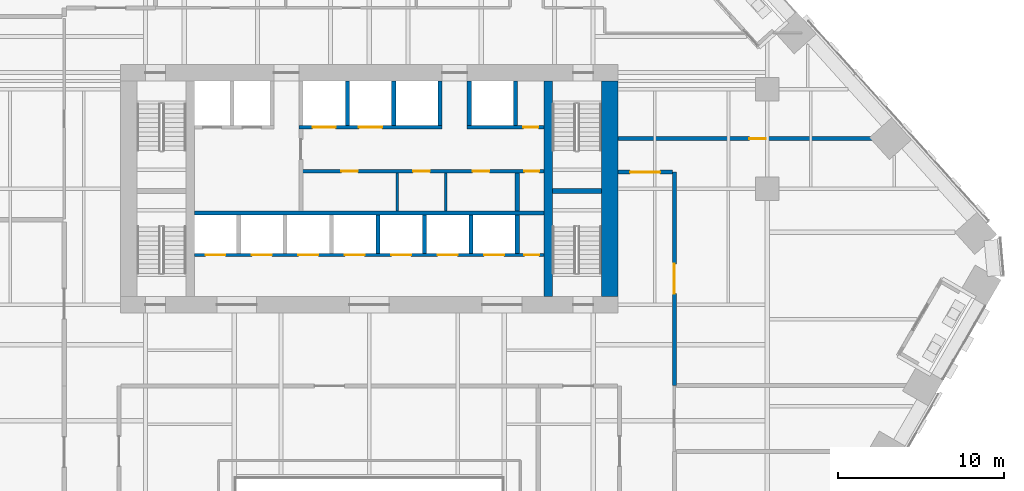
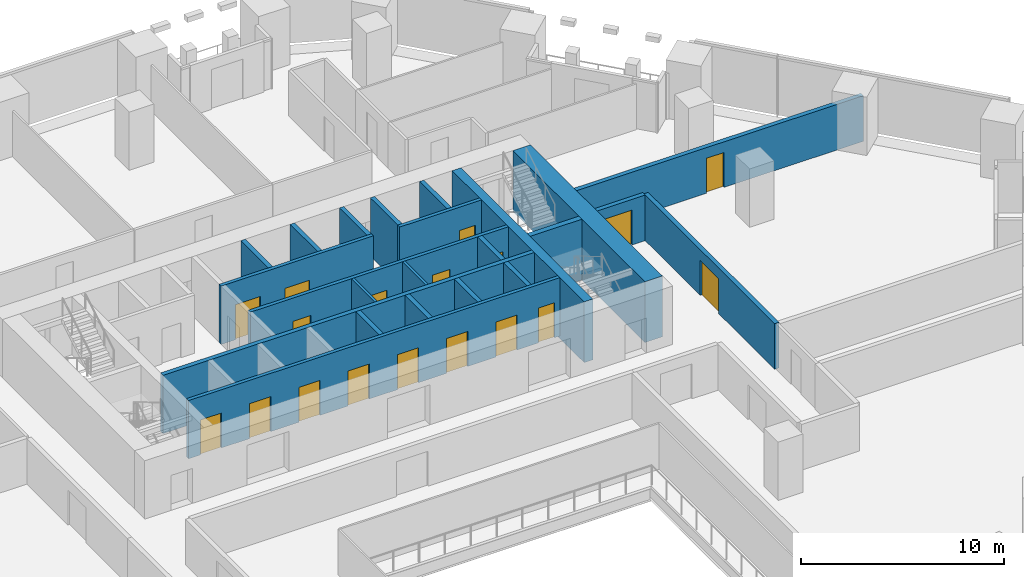
# One storey, part 24 of 31: 23 walls, 18 doors, 18 openings.
"""IFC4 building model written with IfcOpenShell, lengths in metres."""

from ifc_helpers import new_model, si_unit, direction, frame, frame_2d, origin, place, context, subcontext, project, spatial, rectangle, extrude, material, layer, layer_set, type_object, element, fill, save


model = new_model("IFC4")

# Units and contexts
model_context = context("Model", 3, precision=1e-05, world=origin(), true_north=direction((0.0, 1.0)))
body_context = subcontext(model_context, "Body", "Model", "MODEL_VIEW")
ifc_project = project(units=[si_unit("LENGTHUNIT", "METRE"), si_unit("AREAUNIT", "SQUARE_METRE"), si_unit("VOLUMEUNIT", "CUBIC_METRE"), si_unit("PLANEANGLEUNIT", "RADIAN"), si_unit("MASSUNIT", "GRAM", prefix="KILO")], contexts=[model_context])

# Site, building, storey
site_placement = place(None, origin())
site = spatial("IfcSite", under=ifc_project, at=site_placement, CompositionType="ELEMENT")
building_placement = place(site_placement, origin())
building = spatial("IfcBuilding", under=site, at=building_placement, Name="Isthmus Gate Tower", CompositionType="ELEMENT")
storey_placement = place(building_placement, frame((0.0, 0.0, 39.64990234375)))
storey = spatial("IfcBuildingStorey", under=building, at=storey_placement, Name="L07", CompositionType="ELEMENT", Elevation=39.64990234375)

# Wall, opening, door
ifc_material_1 = material(Name="Double-leaf acoustic stud wall, fire-rated", Category="gypsum")
ifc_layer_1 = layer(ifc_material_1, 0.25)
ifc_layer_set_1 = layer_set([ifc_layer_1], Name="ACOUSTIC WALL 250 60 MIN")
wall_type_1 = type_object("IfcWallType", Name="ACOUSTIC WALL 250 60 MIN", PredefinedType="PARTITIONING", material=ifc_layer_set_1)
wall_1_placement = place(storey_placement, frame((18.39990234375, 8.5, 0.0), z_axis=(0.0, 0.0, 1.0), x_axis=(0.0, -1.0, 0.0)))
wall_1 = element("IfcWall", 1, at=wall_1_placement, inside=storey, type_object=wall_type_1, Name="L07 Acoustic Wall 250 60 Min", PredefinedType="PARTITIONING", context=body_context, shape_type="SweptSolid", body=[
    extrude(rectangle(XDim=12.8720703125, YDim=0.25, at=frame_2d((6.43603515625, 0.0))), origin(), (0.0, 0.0, 1.0), 2.7412109375),
])
opening_1_placement = place(wall_1_placement, frame((5.535888671875, 0.0, 0.0)))
opening_1 = element("IfcOpeningElement", 2, at=opening_1_placement, cuts=wall_1, Name="Opening DT-T1A-09", PredefinedType="OPENING", context=body_context, shape_type="SweptSolid", body=[
    extrude(rectangle(XDim=1.800048828125, YDim=2.10009765625, at=frame_2d((0.89990234375, 1.050048828125))), frame((0.0, 0.135009765625, 0.0), z_axis=(0.0, -1.0, 0.0), x_axis=(1.0, 0.0, 0.0)), (0.0, 0.0, 1.0), 0.27001953125),
])
ifc_material_2 = material(Name="Solid core timber door leaf, fire-rated", Category="wood")
door_type_1 = type_object("IfcDoorType", Name="FIRE DOOR ACOUSTIC ROOM 1800 X 2100 60 MIN", OperationType="DOUBLE_DOOR_DOUBLE_SWING", PredefinedType="DOOR", material=ifc_material_2)
door_1_placement = place(opening_1_placement, origin())
door_1 = element("IfcDoor", 3, at=door_1_placement, inside=storey, type_object=door_type_1, Name="L07 room door", OperationType="DOUBLE_DOOR_DOUBLE_SWING", OverallHeight=2.10009765625, OverallWidth=1.800048828125, PredefinedType="DOOR", context=body_context, shape_type="SweptSolid", body=[
    extrude(rectangle(XDim=1.800048828125, YDim=2.10009765625, at=frame_2d((0.89990234375, 1.050048828125))), frame((0.0, 0.02490234375, 0.0), z_axis=(0.0, -1.0, 0.0), x_axis=(1.0, 0.0, 0.0)), (0.0, 0.0, 1.0), 0.050048828125),
])
fill(opening_1, door_1)

wall_2_placement = place(storey_placement, frame((15.0, 10.51708984375, 0.0), z_axis=(0.0, 0.0, 1.0), x_axis=(1.0, 0.0, 0.0)))
wall_2 = element("IfcWall", 4, at=wall_2_placement, inside=storey, type_object=wall_type_1, Name="L07 Acoustic Wall 250 60 Min", PredefinedType="PARTITIONING", context=body_context, shape_type="SweptSolid", body=[
    extrude(rectangle(XDim=16.842041015625, YDim=0.25, at=frame_2d((8.4208984375, 0.0))), origin(), (0.0, 0.0, 1.0), 2.7412109375),
])
opening_2_placement = place(wall_2_placement, frame((7.9208984375, 0.0, 0.0)))
opening_2 = element("IfcOpeningElement", 5, at=opening_2_placement, cuts=wall_2, Name="Opening DT-T1A-30", PredefinedType="OPENING", context=body_context, shape_type="SweptSolid", body=[
    extrude(rectangle(XDim=1.0, YDim=2.10009765625, at=frame_2d((0.5, 1.050048828125))), frame((0.0, 0.135009765625, 0.0), z_axis=(0.0, -1.0, 0.0), x_axis=(1.0, 0.0, 0.0)), (0.0, 0.0, 1.0), 0.27001953125),
])
ifc_material_3 = material(Name="Solid core timber door leaf, fire-rated", Category="wood")
door_type_2 = type_object("IfcDoorType", Name="FIRE DOOR ROOM 1000 X 2100 60 MIN", OperationType="SINGLE_SWING_LEFT", PredefinedType="DOOR", material=ifc_material_3)
door_2_placement = place(opening_2_placement, origin())
door_2 = element("IfcDoor", 6, at=door_2_placement, inside=storey, type_object=door_type_2, Name="L07 room door", OperationType="SINGLE_SWING_LEFT", OverallHeight=2.10009765625, OverallWidth=1.0, PredefinedType="DOOR", context=body_context, shape_type="SweptSolid", body=[
    extrude(rectangle(XDim=1.0, YDim=2.10009765625, at=frame_2d((0.5, 1.050048828125))), frame((0.0, 0.02490234375, 0.0), z_axis=(0.0, -1.0, 0.0), x_axis=(1.0, 0.0, 0.0)), (0.0, 0.0, 1.0), 0.050048828125),
])
fill(opening_2, door_2)

wall_3_placement = place(storey_placement, frame((15.0, 8.5, 0.0), z_axis=(0.0, 0.0, 1.0), x_axis=(1.0, 0.0, 0.0)))
wall_3 = element("IfcWall", 7, at=wall_3_placement, inside=storey, type_object=wall_type_1, Name="L07 Acoustic Wall 250 60 Min", PredefinedType="PARTITIONING", context=body_context, shape_type="SweptSolid", body=[
    extrude(rectangle(XDim=3.27490234375, YDim=0.25, at=frame_2d((1.637451171875, 0.0))), origin(), (0.0, 0.0, 1.0), 2.7412109375),
])
opening_3_placement = place(wall_3_placement, frame((0.737548828125, 0.0, 0.0)))
opening_3 = element("IfcOpeningElement", 8, at=opening_3_placement, cuts=wall_3, Name="Opening DT-T1A-10", PredefinedType="OPENING", context=body_context, shape_type="SweptSolid", body=[
    extrude(rectangle(XDim=1.800048828125, YDim=2.10009765625, at=frame_2d((0.89990234375, 1.050048828125))), frame((0.0, 0.135009765625, 0.0), z_axis=(0.0, -1.0, 0.0), x_axis=(1.0, 0.0, 0.0)), (0.0, 0.0, 1.0), 0.27001953125),
])
door_3_placement = place(opening_3_placement, origin())
door_3 = element("IfcDoor", 9, at=door_3_placement, inside=storey, type_object=door_type_1, Name="L07 room door", OperationType="DOUBLE_DOOR_DOUBLE_SWING", OverallHeight=2.10009765625, OverallWidth=1.800048828125, PredefinedType="DOOR", context=body_context, shape_type="SweptSolid", body=[
    extrude(rectangle(XDim=1.800048828125, YDim=2.10009765625, at=frame_2d((0.89990234375, 1.050048828125))), frame((0.0, 0.02490234375, 0.0), z_axis=(0.0, -1.0, 0.0), x_axis=(1.0, 0.0, 0.0)), (0.0, 0.0, 1.0), 0.050048828125),
])
fill(opening_3, door_3)

# Walls
ifc_material_4 = material(Name="Concrete f'c 70 MPa", Category="concrete")
ifc_layer_2 = layer(ifc_material_4, 0.5)
ifc_layer_set_2 = layer_set([ifc_layer_2], Name="RC CORE SPINE WALL 500 F'C 70")
wall_type_2 = type_object("IfcWallType", Name="RC CORE SPINE WALL 500 F'C 70", PredefinedType="SOLIDWALL", material=ifc_layer_set_2)
wall_4_placement = place(storey_placement, frame((10.800048828125, 1.0, -0.14990234375), z_axis=(0.0, 0.0, 1.0), x_axis=(0.0, 1.0, 0.0)))
element("IfcWall", 10, at=wall_4_placement, inside=storey, type_object=wall_type_2, Name="str-corewall-L07-SPE", PredefinedType="SOLIDWALL", context=body_context, shape_type="SweptSolid", body=[
    extrude(rectangle(XDim=13.0, YDim=0.5, at=frame_2d((6.5, 0.0))), origin(), (0.0, 0.0, 1.0), 3.64990234375),
])
ifc_material_5 = material(Name="Concrete f'c 70 MPa", Category="concrete")
ifc_layer_3 = layer(ifc_material_5, 1.0)
ifc_layer_set_3 = layer_set([ifc_layer_3], Name="RC CORE WALL 1000 F'C 70")
wall_type_3 = type_object("IfcWallType", Name="RC CORE WALL 1000 F'C 70", PredefinedType="SOLIDWALL", material=ifc_layer_set_3)
wall_5_placement = place(storey_placement, frame((14.5, 1.0, -0.14990234375), z_axis=(0.0, 0.0, 1.0), x_axis=(0.0, 1.0, 0.0)))
element("IfcWall", 11, at=wall_5_placement, inside=storey, type_object=wall_type_3, Name="str-corewall-L07-E", PredefinedType="SOLIDWALL", context=body_context, shape_type="SweptSolid", body=[
    extrude(rectangle(XDim=13.0, YDim=1.0, at=frame_2d((6.5, 0.0))), origin(), (0.0, 0.0, 1.0), 3.64990234375),
])
ifc_material_6 = material(Name="Gypsum board on steel studs, fire-rated", Category="steel")
ifc_layer_4 = layer(ifc_material_6, 0.14990234375)
ifc_layer_set_4 = layer_set([ifc_layer_4], Name="ROOM PARTITION 150 60 MIN")
wall_type_4 = type_object("IfcWallType", Name="ROOM PARTITION 150 60 MIN", PredefinedType="PARTITIONING", material=ifc_layer_set_4)
for number, where, z_axis, x_axis, name in (
    (12, (1.699951171875, 6.14990234375, 0.0), (0.0, 0.0, 1.0), (0.0, 1.0, 0.0), "L07 ROOM PARTITION 150 60 MIN"),
    (13, (4.60009765625, 6.14990234375, 0.0), (0.0, 0.0, 1.0), (0.0, 1.0, 0.0), "L07 ROOM PARTITION 150 60 MIN"),
):
    element("IfcWall", number, at=place(storey_placement, frame(where, z_axis=z_axis, x_axis=x_axis)), inside=storey, type_object=wall_type_4, Name=name, PredefinedType="PARTITIONING", context=body_context, shape_type="SweptSolid", body=[
        extrude(rectangle(XDim=2.300048828125, YDim=0.14990234375, at=frame_2d((1.14990234375, 0.0))), origin(), (0.0, 0.0, 1.0), 3.5),
    ])

# Wall, openings, doors
ifc_material_7 = material(Name="Fire-rated blockwork masonry, 15 MPa", Category="masonry")
ifc_layer_5 = layer(ifc_material_7, 0.199951171875)
ifc_layer_set_5 = layer_set([ifc_layer_5], Name="SHAFT FRONT WALL 200 120 MIN")
wall_type_5 = type_object("IfcWallType", Name="SHAFT FRONT WALL 200 120 MIN", PredefinedType="PARTITIONING", material=ifc_layer_set_5)
wall_6_placement = place(storey_placement, frame((-10.550048828125, 3.5, 0.0), z_axis=(0.0, 0.0, 1.0), x_axis=(1.0, 0.0, 0.0)))
wall_6 = element("IfcWall", 14, at=wall_6_placement, inside=storey, type_object=wall_type_5, Name="L07 SHAFT FRONT WALL 200 120 MIN", PredefinedType="PARTITIONING", context=body_context, shape_type="SweptSolid", body=[
    extrude(rectangle(XDim=21.10009765625, YDim=0.199951171875, at=frame_2d((10.550048828125, 0.0))), origin(), (0.0, 0.0, 1.0), 3.5),
])
opening_4_placement = place(wall_6_placement, frame((0.675048828125, 0.0, 0.0)))
opening_4 = element("IfcOpeningElement", 15, at=opening_4_placement, cuts=wall_6, Name="Opening LD-LA1", PredefinedType="OPENING", context=body_context, shape_type="SweptSolid", body=[
    extrude(rectangle(XDim=1.199951171875, YDim=2.10009765625, at=frame_2d((0.60009765625, 1.050048828125))), frame((0.0, 0.10986328125, 0.0), z_axis=(0.0, -1.0, 0.0), x_axis=(1.0, 0.0, 0.0)), (0.0, 0.0, 1.0), 0.219970703125),
])
opening_5_placement = place(wall_6_placement, frame((3.47509765625, 0.0, 0.0)))
opening_5 = element("IfcOpeningElement", 16, at=opening_5_placement, cuts=wall_6, Name="Opening LD-LA2", PredefinedType="OPENING", context=body_context, shape_type="SweptSolid", body=[
    extrude(rectangle(XDim=1.199951171875, YDim=2.10009765625, at=frame_2d((0.60009765625, 1.050048828125))), frame((0.0, 0.10986328125, 0.0), z_axis=(0.0, -1.0, 0.0), x_axis=(1.0, 0.0, 0.0)), (0.0, 0.0, 1.0), 0.219970703125),
])
opening_6_placement = place(wall_6_placement, frame((6.27490234375, 0.0, 0.0)))
opening_6 = element("IfcOpeningElement", 17, at=opening_6_placement, cuts=wall_6, Name="Opening LD-LA3", PredefinedType="OPENING", context=body_context, shape_type="SweptSolid", body=[
    extrude(rectangle(XDim=1.199951171875, YDim=2.10009765625, at=frame_2d((0.60009765625, 1.050048828125))), frame((0.0, 0.10986328125, 0.0), z_axis=(0.0, -1.0, 0.0), x_axis=(1.0, 0.0, 0.0)), (0.0, 0.0, 1.0), 0.219970703125),
])
opening_7_placement = place(wall_6_placement, frame((9.074951171875, 0.0, 0.0)))
opening_7 = element("IfcOpeningElement", 18, at=opening_7_placement, cuts=wall_6, Name="Opening LD-LA4", PredefinedType="OPENING", context=body_context, shape_type="SweptSolid", body=[
    extrude(rectangle(XDim=1.199951171875, YDim=2.10009765625, at=frame_2d((0.60009765625, 1.050048828125))), frame((0.0, 0.10986328125, 0.0), z_axis=(0.0, -1.0, 0.0), x_axis=(1.0, 0.0, 0.0)), (0.0, 0.0, 1.0), 0.219970703125),
])
opening_8_placement = place(wall_6_placement, frame((11.875, 0.0, 0.0)))
opening_8 = element("IfcOpeningElement", 19, at=opening_8_placement, cuts=wall_6, Name="Opening LD-LA5", PredefinedType="OPENING", context=body_context, shape_type="SweptSolid", body=[
    extrude(rectangle(XDim=1.199951171875, YDim=2.10009765625, at=frame_2d((0.60009765625, 1.050048828125))), frame((0.0, 0.10986328125, 0.0), z_axis=(0.0, -1.0, 0.0), x_axis=(1.0, 0.0, 0.0)), (0.0, 0.0, 1.0), 0.219970703125),
])
opening_9_placement = place(wall_6_placement, frame((14.675048828125, 0.0, 0.0)))
opening_9 = element("IfcOpeningElement", 20, at=opening_9_placement, cuts=wall_6, Name="Opening LD-LA6", PredefinedType="OPENING", context=body_context, shape_type="SweptSolid", body=[
    extrude(rectangle(XDim=1.199951171875, YDim=2.10009765625, at=frame_2d((0.60009765625, 1.050048828125))), frame((0.0, 0.10986328125, 0.0), z_axis=(0.0, -1.0, 0.0), x_axis=(1.0, 0.0, 0.0)), (0.0, 0.0, 1.0), 0.219970703125),
])
opening_10_placement = place(wall_6_placement, frame((17.47509765625, 0.0, 0.0)))
opening_10 = element("IfcOpeningElement", 21, at=opening_10_placement, cuts=wall_6, Name="Opening LD-LA7", PredefinedType="OPENING", context=body_context, shape_type="SweptSolid", body=[
    extrude(rectangle(XDim=1.199951171875, YDim=2.10009765625, at=frame_2d((0.60009765625, 1.050048828125))), frame((0.0, 0.10986328125, 0.0), z_axis=(0.0, -1.0, 0.0), x_axis=(1.0, 0.0, 0.0)), (0.0, 0.0, 1.0), 0.219970703125),
])
opening_11_placement = place(wall_6_placement, frame((19.89990234375, 0.0, 0.0)))
opening_11 = element("IfcOpeningElement", 22, at=opening_11_placement, cuts=wall_6, Name="Opening DC-A04-02", PredefinedType="OPENING", context=body_context, shape_type="SweptSolid", body=[
    extrude(rectangle(XDim=0.89990234375, YDim=2.10009765625, at=frame_2d((0.449951171875, 1.050048828125))), frame((0.0, 0.10986328125, 0.0), z_axis=(0.0, -1.0, 0.0), x_axis=(1.0, 0.0, 0.0)), (0.0, 0.0, 1.0), 0.219970703125),
])
ifc_material_8 = material(Name="Stainless steel sliding leaf", Category="steel")
door_type_3 = type_object("IfcDoorType", Name="LIFT LANDING FIRE DOOR 1200 X 2100 90 MIN", OperationType="DOUBLE_DOOR_SLIDING", PredefinedType="DOOR", material=ifc_material_8)
door_4_placement = place(opening_4_placement, origin())
door_4 = element("IfcDoor", 23, at=door_4_placement, inside=storey, type_object=door_type_3, Name="Lift Landing Door LA1", OperationType="DOUBLE_DOOR_SLIDING", OverallHeight=2.10009765625, OverallWidth=1.199951171875, PredefinedType="DOOR", context=body_context, shape_type="SweptSolid", body=[
    extrude(rectangle(XDim=1.199951171875, YDim=2.10009765625, at=frame_2d((0.60009765625, 1.050048828125))), frame((0.0, 0.02490234375, 0.0), z_axis=(0.0, -1.0, 0.0), x_axis=(1.0, 0.0, 0.0)), (0.0, 0.0, 1.0), 0.050048828125),
])
fill(opening_4, door_4)
door_5_placement = place(opening_5_placement, origin())
door_5 = element("IfcDoor", 24, at=door_5_placement, inside=storey, type_object=door_type_3, Name="Lift Landing Door LA2", OperationType="DOUBLE_DOOR_SLIDING", OverallHeight=2.10009765625, OverallWidth=1.199951171875, PredefinedType="DOOR", context=body_context, shape_type="SweptSolid", body=[
    extrude(rectangle(XDim=1.199951171875, YDim=2.10009765625, at=frame_2d((0.60009765625, 1.050048828125))), frame((0.0, 0.02490234375, 0.0), z_axis=(0.0, -1.0, 0.0), x_axis=(1.0, 0.0, 0.0)), (0.0, 0.0, 1.0), 0.050048828125),
])
fill(opening_5, door_5)
door_6_placement = place(opening_6_placement, origin())
door_6 = element("IfcDoor", 25, at=door_6_placement, inside=storey, type_object=door_type_3, Name="Lift Landing Door LA3", OperationType="DOUBLE_DOOR_SLIDING", OverallHeight=2.10009765625, OverallWidth=1.199951171875, PredefinedType="DOOR", context=body_context, shape_type="SweptSolid", body=[
    extrude(rectangle(XDim=1.199951171875, YDim=2.10009765625, at=frame_2d((0.60009765625, 1.050048828125))), frame((0.0, 0.02490234375, 0.0), z_axis=(0.0, -1.0, 0.0), x_axis=(1.0, 0.0, 0.0)), (0.0, 0.0, 1.0), 0.050048828125),
])
fill(opening_6, door_6)
door_7_placement = place(opening_7_placement, origin())
door_7 = element("IfcDoor", 26, at=door_7_placement, inside=storey, type_object=door_type_3, Name="Lift Landing Door LA4", OperationType="DOUBLE_DOOR_SLIDING", OverallHeight=2.10009765625, OverallWidth=1.199951171875, PredefinedType="DOOR", context=body_context, shape_type="SweptSolid", body=[
    extrude(rectangle(XDim=1.199951171875, YDim=2.10009765625, at=frame_2d((0.60009765625, 1.050048828125))), frame((0.0, 0.02490234375, 0.0), z_axis=(0.0, -1.0, 0.0), x_axis=(1.0, 0.0, 0.0)), (0.0, 0.0, 1.0), 0.050048828125),
])
fill(opening_7, door_7)
door_8_placement = place(opening_8_placement, origin())
door_8 = element("IfcDoor", 27, at=door_8_placement, inside=storey, type_object=door_type_3, Name="Lift Landing Door LA5", OperationType="DOUBLE_DOOR_SLIDING", OverallHeight=2.10009765625, OverallWidth=1.199951171875, PredefinedType="DOOR", context=body_context, shape_type="SweptSolid", body=[
    extrude(rectangle(XDim=1.199951171875, YDim=2.10009765625, at=frame_2d((0.60009765625, 1.050048828125))), frame((0.0, 0.02490234375, 0.0), z_axis=(0.0, -1.0, 0.0), x_axis=(1.0, 0.0, 0.0)), (0.0, 0.0, 1.0), 0.050048828125),
])
fill(opening_8, door_8)
door_9_placement = place(opening_9_placement, origin())
door_9 = element("IfcDoor", 28, at=door_9_placement, inside=storey, type_object=door_type_3, Name="Lift Landing Door LA6", OperationType="DOUBLE_DOOR_SLIDING", OverallHeight=2.10009765625, OverallWidth=1.199951171875, PredefinedType="DOOR", context=body_context, shape_type="SweptSolid", body=[
    extrude(rectangle(XDim=1.199951171875, YDim=2.10009765625, at=frame_2d((0.60009765625, 1.050048828125))), frame((0.0, 0.02490234375, 0.0), z_axis=(0.0, -1.0, 0.0), x_axis=(1.0, 0.0, 0.0)), (0.0, 0.0, 1.0), 0.050048828125),
])
fill(opening_9, door_9)
door_10_placement = place(opening_10_placement, origin())
door_10 = element("IfcDoor", 29, at=door_10_placement, inside=storey, type_object=door_type_3, Name="Lift Landing Door LA7", OperationType="DOUBLE_DOOR_SLIDING", OverallHeight=2.10009765625, OverallWidth=1.199951171875, PredefinedType="DOOR", context=body_context, shape_type="SweptSolid", body=[
    extrude(rectangle(XDim=1.199951171875, YDim=2.10009765625, at=frame_2d((0.60009765625, 1.050048828125))), frame((0.0, 0.02490234375, 0.0), z_axis=(0.0, -1.0, 0.0), x_axis=(1.0, 0.0, 0.0)), (0.0, 0.0, 1.0), 0.050048828125),
])
fill(opening_10, door_10)
ifc_material_9 = material(Name="Steel door leaf, fire-rated", Category="steel")
door_type_4 = type_object("IfcDoorType", Name="RISER FIRE DOOR 900 X 2100 90 MIN", OperationType="SINGLE_SWING_LEFT", PredefinedType="DOOR", material=ifc_material_9)
door_11_placement = place(opening_11_placement, origin())
door_11 = element("IfcDoor", 30, at=door_11_placement, inside=storey, type_object=door_type_4, Name="Riser Door", OperationType="SINGLE_SWING_RIGHT", OverallHeight=2.10009765625, OverallWidth=0.89990234375, PredefinedType="DOOR", context=body_context, shape_type="SweptSolid", body=[
    extrude(rectangle(XDim=0.89990234375, YDim=2.10009765625, at=frame_2d((0.449951171875, 1.050048828125))), frame((0.0, 0.02490234375, 0.0), z_axis=(0.0, -1.0, 0.0), x_axis=(1.0, 0.0, 0.0)), (0.0, 0.0, 1.0), 0.050048828125),
])
fill(opening_11, door_11)

wall_7_placement = place(storey_placement, frame((-4.125, 8.550048828125, 0.0), z_axis=(0.0, 0.0, 1.0), x_axis=(1.0, 0.0, 0.0)))
wall_7 = element("IfcWall", 31, at=wall_7_placement, inside=storey, type_object=wall_type_5, Name="L07 SHAFT FRONT WALL 200 120 MIN", PredefinedType="PARTITIONING", context=body_context, shape_type="SweptSolid", body=[
    extrude(rectangle(XDim=14.675048828125, YDim=0.199951171875, at=frame_2d((7.33740234375, 0.0))), origin(), (0.0, 0.0, 1.0), 3.5),
])
opening_12_placement = place(wall_7_placement, frame((2.4375, 0.0, 0.0)))
opening_12 = element("IfcOpeningElement", 32, at=opening_12_placement, cuts=wall_7, Name="Opening DC-A04-03", PredefinedType="OPENING", context=body_context, shape_type="SweptSolid", body=[
    extrude(rectangle(XDim=1.0, YDim=2.10009765625, at=frame_2d((0.5, 1.050048828125))), frame((0.0, 0.10986328125, 0.0), z_axis=(0.0, -1.0, 0.0), x_axis=(1.0, 0.0, 0.0)), (0.0, 0.0, 1.0), 0.219970703125),
])
opening_13_placement = place(wall_7_placement, frame((6.77490234375, 0.0, 0.0)))
opening_13 = element("IfcOpeningElement", 33, at=opening_13_placement, cuts=wall_7, Name="Opening DC-A04-04", PredefinedType="OPENING", context=body_context, shape_type="SweptSolid", body=[
    extrude(rectangle(XDim=1.0, YDim=2.10009765625, at=frame_2d((0.5, 1.050048828125))), frame((0.0, 0.10986328125, 0.0), z_axis=(0.0, -1.0, 0.0), x_axis=(1.0, 0.0, 0.0)), (0.0, 0.0, 1.0), 0.219970703125),
])
opening_14_placement = place(wall_7_placement, frame((10.362548828125, 0.0, 0.0)))
opening_14 = element("IfcOpeningElement", 34, at=opening_14_placement, cuts=wall_7, Name="Opening DC-A04-05", PredefinedType="OPENING", context=body_context, shape_type="SweptSolid", body=[
    extrude(rectangle(XDim=1.0, YDim=2.10009765625, at=frame_2d((0.5, 1.050048828125))), frame((0.0, 0.10986328125, 0.0), z_axis=(0.0, -1.0, 0.0), x_axis=(1.0, 0.0, 0.0)), (0.0, 0.0, 1.0), 0.219970703125),
])
opening_15_placement = place(wall_7_placement, frame((13.47509765625, 0.0, 0.0)))
opening_15 = element("IfcOpeningElement", 35, at=opening_15_placement, cuts=wall_7, Name="Opening DC-A04-06", PredefinedType="OPENING", context=body_context, shape_type="SweptSolid", body=[
    extrude(rectangle(XDim=0.89990234375, YDim=2.10009765625, at=frame_2d((0.449951171875, 1.050048828125))), frame((0.0, 0.10986328125, 0.0), z_axis=(0.0, -1.0, 0.0), x_axis=(1.0, 0.0, 0.0)), (0.0, 0.0, 1.0), 0.219970703125),
])
ifc_material_10 = material(Name="Steel door leaf, fire-rated", Category="steel")
door_type_5 = type_object("IfcDoorType", Name="FIRE DOOR 1000 X 2100 60 MIN", OperationType="SINGLE_SWING_LEFT", PredefinedType="DOOR", material=ifc_material_10)
door_12_placement = place(opening_12_placement, origin())
door_12 = element("IfcDoor", 36, at=door_12_placement, inside=storey, type_object=door_type_5, Name="WC Men Door", OperationType="SINGLE_SWING_LEFT", OverallHeight=2.10009765625, OverallWidth=1.0, PredefinedType="DOOR", context=body_context, shape_type="SweptSolid", body=[
    extrude(rectangle(XDim=1.0, YDim=2.10009765625, at=frame_2d((0.5, 1.050048828125))), frame((0.0, 0.02490234375, 0.0), z_axis=(0.0, -1.0, 0.0), x_axis=(1.0, 0.0, 0.0)), (0.0, 0.0, 1.0), 0.050048828125),
])
fill(opening_12, door_12)
door_13_placement = place(opening_13_placement, origin())
door_13 = element("IfcDoor", 37, at=door_13_placement, inside=storey, type_object=door_type_5, Name="Accessible WC Door", OperationType="SINGLE_SWING_RIGHT", OverallHeight=2.10009765625, OverallWidth=1.0, PredefinedType="DOOR", context=body_context, shape_type="SweptSolid", body=[
    extrude(rectangle(XDim=1.0, YDim=2.10009765625, at=frame_2d((0.5, 1.050048828125))), frame((0.0, 0.02490234375, 0.0), z_axis=(0.0, -1.0, 0.0), x_axis=(1.0, 0.0, 0.0)), (0.0, 0.0, 1.0), 0.050048828125),
])
fill(opening_13, door_13)
door_14_placement = place(opening_14_placement, origin())
door_14 = element("IfcDoor", 38, at=door_14_placement, inside=storey, type_object=door_type_5, Name="WC Women Door", OperationType="SINGLE_SWING_LEFT", OverallHeight=2.10009765625, OverallWidth=1.0, PredefinedType="DOOR", context=body_context, shape_type="SweptSolid", body=[
    extrude(rectangle(XDim=1.0, YDim=2.10009765625, at=frame_2d((0.5, 1.050048828125))), frame((0.0, 0.02490234375, 0.0), z_axis=(0.0, -1.0, 0.0), x_axis=(1.0, 0.0, 0.0)), (0.0, 0.0, 1.0), 0.050048828125),
])
fill(opening_14, door_14)
door_15_placement = place(opening_15_placement, origin())
door_15 = element("IfcDoor", 39, at=door_15_placement, inside=storey, type_object=door_type_4, Name="Riser Door", OperationType="SINGLE_SWING_RIGHT", OverallHeight=2.10009765625, OverallWidth=0.89990234375, PredefinedType="DOOR", context=body_context, shape_type="SweptSolid", body=[
    extrude(rectangle(XDim=0.89990234375, YDim=2.10009765625, at=frame_2d((0.449951171875, 1.050048828125))), frame((0.0, 0.02490234375, 0.0), z_axis=(0.0, -1.0, 0.0), x_axis=(1.0, 0.0, 0.0)), (0.0, 0.0, 1.0), 0.050048828125),
])
fill(opening_15, door_15)

wall_8_placement = place(storey_placement, frame((-4.25, 11.199951171875, 0.0), z_axis=(0.0, 0.0, 1.0), x_axis=(1.0, 0.0, 0.0)))
wall_8 = element("IfcWall", 40, at=wall_8_placement, inside=storey, type_object=wall_type_5, Name="L07 SHAFT FRONT WALL 200 120 MIN", PredefinedType="PARTITIONING", context=body_context, shape_type="SweptSolid", body=[
    extrude(rectangle(XDim=8.64990234375, YDim=0.199951171875, at=frame_2d((4.324951171875, 0.0))), origin(), (0.0, 0.0, 1.0), 3.5),
])
opening_16_placement = place(wall_8_placement, frame((0.824951171875, 0.0, 0.0)))
opening_16 = element("IfcOpeningElement", 41, at=opening_16_placement, cuts=wall_8, Name="Opening LD-LV1", PredefinedType="OPENING", context=body_context, shape_type="SweptSolid", body=[
    extrude(rectangle(XDim=1.39990234375, YDim=2.10009765625, at=frame_2d((0.699951171875, 1.050048828125))), frame((0.0, 0.10986328125, 0.0), z_axis=(0.0, -1.0, 0.0), x_axis=(1.0, 0.0, 0.0)), (0.0, 0.0, 1.0), 0.219970703125),
])
opening_17_placement = place(wall_8_placement, frame((3.625, 0.0, 0.0)))
opening_17 = element("IfcOpeningElement", 42, at=opening_17_placement, cuts=wall_8, Name="Opening LD-LV2", PredefinedType="OPENING", context=body_context, shape_type="SweptSolid", body=[
    extrude(rectangle(XDim=1.39990234375, YDim=2.10009765625, at=frame_2d((0.699951171875, 1.050048828125))), frame((0.0, 0.10986328125, 0.0), z_axis=(0.0, -1.0, 0.0), x_axis=(1.0, 0.0, 0.0)), (0.0, 0.0, 1.0), 0.219970703125),
])
ifc_material_11 = material(Name="Stainless steel sliding leaf", Category="steel")
door_type_6 = type_object("IfcDoorType", Name="LIFT LANDING FIRE DOOR 1400 X 2100 90 MIN", OperationType="DOUBLE_DOOR_SLIDING", PredefinedType="DOOR", material=ifc_material_11)
door_16_placement = place(opening_16_placement, origin())
door_16 = element("IfcDoor", 43, at=door_16_placement, inside=storey, type_object=door_type_6, Name="Lift Landing Door LV1", OperationType="DOUBLE_DOOR_SLIDING", OverallHeight=2.10009765625, OverallWidth=1.39990234375, PredefinedType="DOOR", context=body_context, shape_type="SweptSolid", body=[
    extrude(rectangle(XDim=1.39990234375, YDim=2.10009765625, at=frame_2d((0.699951171875, 1.050048828125))), frame((0.0, 0.02490234375, 0.0), z_axis=(0.0, -1.0, 0.0), x_axis=(1.0, 0.0, 0.0)), (0.0, 0.0, 1.0), 0.050048828125),
])
fill(opening_16, door_16)
door_17_placement = place(opening_17_placement, origin())
door_17 = element("IfcDoor", 44, at=door_17_placement, inside=storey, type_object=door_type_6, Name="Lift Landing Door LV2", OperationType="DOUBLE_DOOR_SLIDING", OverallHeight=2.10009765625, OverallWidth=1.39990234375, PredefinedType="DOOR", context=body_context, shape_type="SweptSolid", body=[
    extrude(rectangle(XDim=1.39990234375, YDim=2.10009765625, at=frame_2d((0.699951171875, 1.050048828125))), frame((0.0, 0.02490234375, 0.0), z_axis=(0.0, -1.0, 0.0), x_axis=(1.0, 0.0, 0.0)), (0.0, 0.0, 1.0), 0.050048828125),
])
fill(opening_17, door_17)

# Wall, opening, door
wall_9_placement = place(storey_placement, frame((5.89990234375, 11.199951171875, 0.0), z_axis=(0.0, 0.0, 1.0), x_axis=(1.0, 0.0, 0.0)))
wall_9 = element("IfcWall", 45, at=wall_9_placement, inside=storey, type_object=wall_type_5, Name="L07 SHAFT FRONT WALL 200 120 MIN", PredefinedType="PARTITIONING", context=body_context, shape_type="SweptSolid", body=[
    extrude(rectangle(XDim=4.650146484375, YDim=0.199951171875, at=frame_2d((2.3251953125, 0.0))), origin(), (0.0, 0.0, 1.0), 3.5),
])
opening_18_placement = place(wall_9_placement, frame((3.39990234375, 0.0, 0.0)))
opening_18 = element("IfcOpeningElement", 46, at=opening_18_placement, cuts=wall_9, Name="Opening DC-A04-07", PredefinedType="OPENING", context=body_context, shape_type="SweptSolid", body=[
    extrude(rectangle(XDim=0.89990234375, YDim=2.10009765625, at=frame_2d((0.449951171875, 1.050048828125))), frame((0.0, 0.10986328125, 0.0), z_axis=(0.0, -1.0, 0.0), x_axis=(1.0, 0.0, 0.0)), (0.0, 0.0, 1.0), 0.219970703125),
])
door_18_placement = place(opening_18_placement, origin())
door_18 = element("IfcDoor", 47, at=door_18_placement, inside=storey, type_object=door_type_4, Name="Riser Door", OperationType="SINGLE_SWING_LEFT", OverallHeight=2.10009765625, OverallWidth=0.89990234375, PredefinedType="DOOR", context=body_context, shape_type="SweptSolid", body=[
    extrude(rectangle(XDim=0.89990234375, YDim=2.10009765625, at=frame_2d((0.449951171875, 1.050048828125))), frame((0.0, 0.02490234375, 0.0), z_axis=(0.0, -1.0, 0.0), x_axis=(1.0, 0.0, 0.0)), (0.0, 0.0, 1.0), 0.050048828125),
])
fill(opening_18, door_18)

# Walls
ifc_material_12 = material(Name="Fire-rated blockwork masonry, 15 MPa", Category="masonry")
ifc_layer_6 = layer(ifc_material_12, 0.25)
ifc_layer_set_6 = layer_set([ifc_layer_6], Name="SHAFT WALL 250 120 MIN")
wall_type_6 = type_object("IfcWallType", Name="SHAFT WALL 250 120 MIN", PredefinedType="PARTITIONING", material=ifc_layer_set_6)
wall_10_placement = place(storey_placement, frame((-10.550048828125, 6.02490234375, 0.0), z_axis=(0.0, 0.0, 1.0), x_axis=(1.0, 0.0, 0.0)))
element("IfcWall", 48, at=wall_10_placement, inside=storey, type_object=wall_type_6, Name="L07 SHAFT WALL 250 120 MIN", PredefinedType="PARTITIONING", context=body_context, shape_type="SweptSolid", body=[
    extrude(rectangle(XDim=21.10009765625, YDim=0.25, at=frame_2d((10.550048828125, 0.0))), origin(), (0.0, 0.0, 1.0), 3.5),
])
for number, where, z_axis, x_axis, name in (
    (49, (0.52490234375, 3.60009765625, 0.0), (0.0, 0.0, 1.0), (0.0, 1.0, 0.0), "L07 SHAFT WALL 250 120 MIN"),
    (50, (3.324951171875, 3.60009765625, 0.0), (0.0, 0.0, 1.0), (0.0, 1.0, 0.0), "L07 SHAFT WALL 250 120 MIN"),
    (51, (6.125, 3.60009765625, 0.0), (0.0, 0.0, 1.0), (0.0, 1.0, 0.0), "L07 SHAFT WALL 250 120 MIN"),
    (52, (8.925048828125, 3.60009765625, 0.0), (0.0, 0.0, 1.0), (0.0, 1.0, 0.0), "L07 SHAFT WALL 250 120 MIN"),
):
    element("IfcWall", number, at=place(storey_placement, frame(where, z_axis=z_axis, x_axis=x_axis)), inside=storey, type_object=wall_type_6, Name=name, PredefinedType="PARTITIONING", context=body_context, shape_type="SweptSolid", body=[
        extrude(rectangle(XDim=2.2998046875, YDim=0.25, at=frame_2d((1.14990234375, 0.0))), origin(), (0.0, 0.0, 1.0), 3.5),
    ])
wall_11_placement = place(storey_placement, frame((8.925048828125, 6.14990234375, 0.0), z_axis=(0.0, 0.0, 1.0), x_axis=(0.0, 1.0, 0.0)))
element("IfcWall", 53, at=wall_11_placement, inside=storey, type_object=wall_type_6, Name="L07 SHAFT WALL 250 120 MIN", PredefinedType="PARTITIONING", context=body_context, shape_type="SweptSolid", body=[
    extrude(rectangle(XDim=2.300048828125, YDim=0.25, at=frame_2d((1.14990234375, 0.0))), origin(), (0.0, 0.0, 1.0), 3.5),
])
for number, where, z_axis, x_axis, name in (
    (54, (-1.324951171875, 11.300048828125, 0.0), (0.0, 0.0, 1.0), (0.0, 1.0, 0.0), "L07 SHAFT WALL 250 120 MIN"),
    (55, (1.47509765625, 11.300048828125, 0.0), (0.0, 0.0, 1.0), (0.0, 1.0, 0.0), "L07 SHAFT WALL 250 120 MIN"),
    (56, (4.27490234375, 11.300048828125, 0.0), (0.0, 0.0, 1.0), (0.0, 1.0, 0.0), "L07 SHAFT WALL 250 120 MIN"),
    (57, (6.02490234375, 11.300048828125, 0.0), (0.0, 0.0, 1.0), (0.0, 1.0, 0.0), "L07 SHAFT WALL 250 120 MIN"),
    (58, (8.824951171875, 11.300048828125, 0.0), (0.0, 0.0, 1.0), (0.0, 1.0, 0.0), "L07 SHAFT WALL 250 120 MIN"),
):
    element("IfcWall", number, at=place(storey_placement, frame(where, z_axis=z_axis, x_axis=x_axis)), inside=storey, type_object=wall_type_6, Name=name, PredefinedType="PARTITIONING", context=body_context, shape_type="SweptSolid", body=[
        extrude(rectangle(XDim=2.699951171875, YDim=0.25, at=frame_2d((1.35009765625, 0.0))), origin(), (0.0, 0.0, 1.0), 3.5),
    ])
ifc_material_13 = material(Name="Concrete f'c 40 MPa", Category="concrete")
ifc_layer_7 = layer(ifc_material_13, 0.300048828125)
ifc_layer_set_7 = layer_set([ifc_layer_7], Name="STAIR ENCLOSURE WALL 300 180 MIN")
wall_type_7 = type_object("IfcWallType", Name="STAIR ENCLOSURE WALL 300 180 MIN", PredefinedType="SOLIDWALL", material=ifc_layer_set_7)
wall_12_placement = place(storey_placement, frame((11.050048828125, 7.35009765625, -0.14990234375), z_axis=(0.0, 0.0, 1.0), x_axis=(1.0, 0.0, 0.0)))
element("IfcWall", 59, at=wall_12_placement, inside=storey, type_object=wall_type_7, Name="L07 STAIR ENCLOSURE WALL 300 180 MIN", PredefinedType="SOLIDWALL", context=body_context, shape_type="SweptSolid", body=[
    extrude(rectangle(XDim=2.949951171875, YDim=0.300048828125, at=frame_2d((1.47509765625, 0.0))), origin(), (0.0, 0.0, 1.0), 3.64990234375),
])

save(model, "model.ifc")
